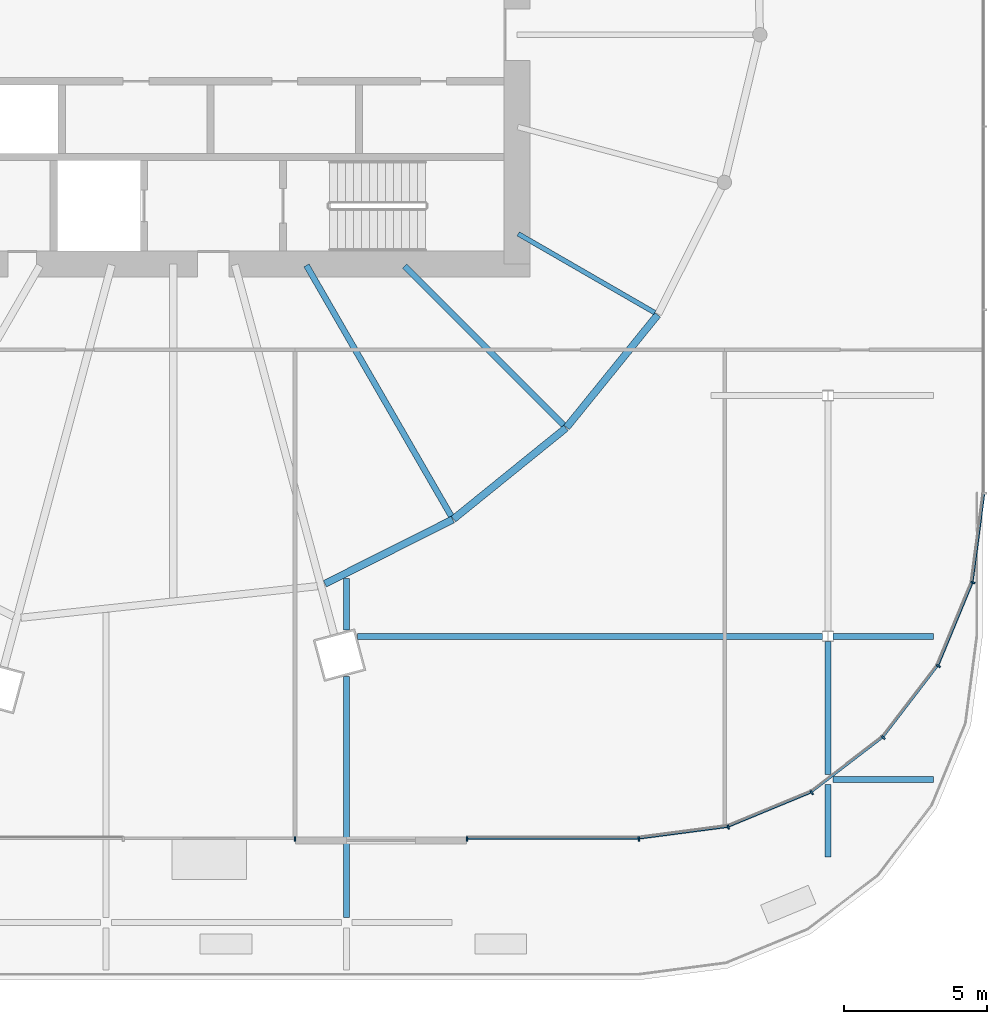
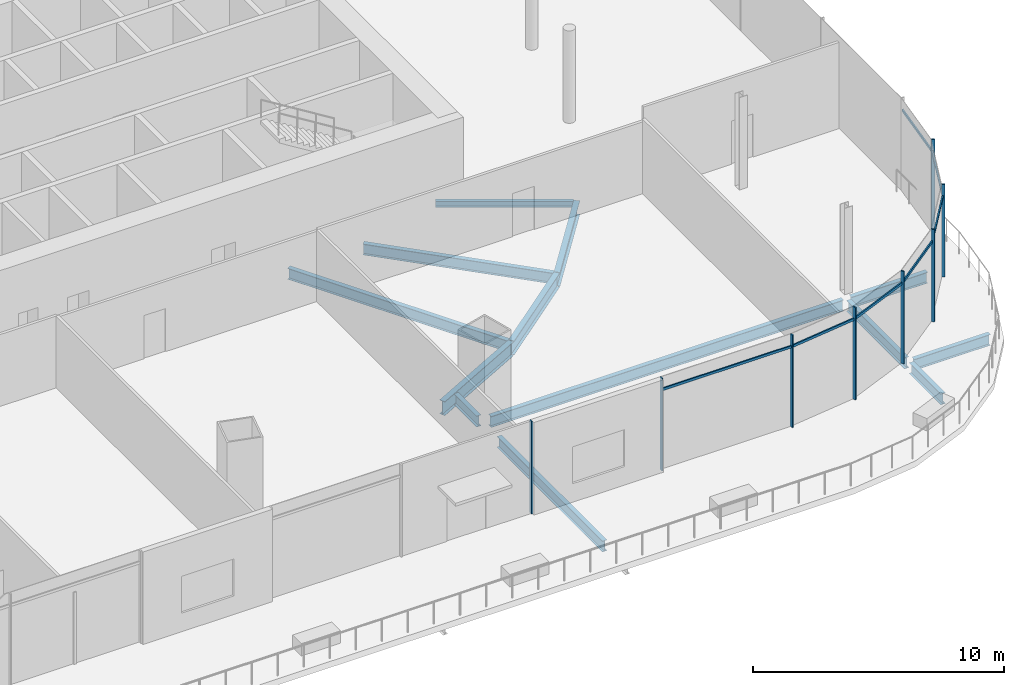
# One storey, part 24 of 52: 15 members, 13 beams, 1 element without a shape of its own.
"""IFC4 building model written with IfcOpenShell, lengths in metres."""

from ifc_helpers import new_model, si_unit, direction, frame, origin, origin_2d, place, context, subcontext, project, spatial, rectangle, i_section, extrude, material, material_profile, profile_set, type_object, element, aggregate, save


model = new_model("IFC4")

# Units and contexts
model_context = context("Model", 3, precision=1e-05, world=origin(), true_north=direction((0.0, 1.0)))
body_context = subcontext(model_context, "Body", "Model", "MODEL_VIEW")
ifc_project = project(units=[si_unit("LENGTHUNIT", "METRE"), si_unit("AREAUNIT", "SQUARE_METRE"), si_unit("VOLUMEUNIT", "CUBIC_METRE"), si_unit("PLANEANGLEUNIT", "RADIAN"), si_unit("MASSUNIT", "GRAM", prefix="KILO")], contexts=[model_context])

# Site, building, storey
site_placement = place(None, origin())
site = spatial("IfcSite", under=ifc_project, at=site_placement, CompositionType="ELEMENT")
building_placement = place(site_placement, origin())
building = spatial("IfcBuilding", under=site, at=building_placement, Name="Rimbun Link Towers", CompositionType="ELEMENT")
storey_placement = place(building_placement, frame((0.0, 0.0, 21.0)))
storey = spatial("IfcBuildingStorey", under=building, at=storey_placement, Name="L04", CompositionType="ELEMENT", Elevation=21.0)

# Curtain wall, members
ifc_material_1 = material(Name="Aluminium 6063-T6 and low-iron glass", Category="aluminium")
curtain_wall_type = type_object("IfcCurtainWallType", Name="CW3 podium shopfront", PredefinedType="NOTDEFINED", material=ifc_material_1)
curtain_wall_placement = place(storey_placement, origin())
curtain_wall = element("IfcCurtainWall", 1, at=curtain_wall_placement, inside=storey, type_object=curtain_wall_type, Name="CW3 L04 PD", PredefinedType="NOTDEFINED")
ifc_material_2 = material(Name="Aluminium 6063-T6", Category="aluminium")
ifc_material_profile_1 = material_profile(ifc_material_2, rectangle(XDim=0.14990234375, YDim=0.06005859375, at=origin_2d()), Name="MULLION 60X150")
ifc_profile_set_1 = profile_set([ifc_material_profile_1], Name="Aluminium 6063-T6")
member_type_1 = type_object("IfcMemberType", Name="CW3 mullion 60X150", PredefinedType="MULLION", material=ifc_profile_set_1)
member_1_placement = place(storey_placement, frame((51.125244140625, -27.66357421875, 0.0), z_axis=(0.0, 0.0, 1.0), x_axis=(0.258818729038, -0.965925910978, 0.0)))
member_1 = element("IfcMember", 2, at=member_1_placement, type_object=member_type_1, Name="CW3 mullion", PredefinedType="MULLION", context=body_context, shape_type="SweptSolid", body=[
    extrude(rectangle(XDim=0.14990234375, YDim=0.06005859375, at=origin_2d()), origin(), (0.0, 0.0, 1.0), 4.5),
])
member_2_placement = place(storey_placement, frame((48.0048828125, -28.074951171875, 0.0), z_axis=(0.0, 0.0, 1.0), x_axis=(0.065405288299, -0.997858781723, 0.0)))
member_2 = element("IfcMember", 3, at=member_2_placement, type_object=member_type_1, Name="CW3 mullion", PredefinedType="MULLION", context=body_context, shape_type="SweptSolid", body=[
    extrude(rectangle(XDim=0.14990234375, YDim=0.06005859375, at=origin_2d()), origin(), (0.0, 0.0, 1.0), 4.5),
])
member_3_placement = place(storey_placement, frame((54.03759765625, -26.457275390625, 0.0), z_axis=(0.0, 0.0, 1.0), x_axis=(0.499993701568, -0.866029040155, 0.0)))
member_3 = element("IfcMember", 4, at=member_3_placement, type_object=member_type_1, Name="CW3 mullion", PredefinedType="MULLION", context=body_context, shape_type="SweptSolid", body=[
    extrude(rectangle(XDim=0.14990234375, YDim=0.06005859375, at=origin_2d()), origin(), (0.0, 0.0, 1.0), 4.5),
])
member_4_placement = place(storey_placement, frame((56.538330078125, -24.538330078125, 0.0), z_axis=(0.0, 0.0, 1.0), x_axis=(0.707106781187, -0.707106781187, 0.0)))
member_4 = element("IfcMember", 5, at=member_4_placement, type_object=member_type_1, Name="CW3 mullion", PredefinedType="MULLION", context=body_context, shape_type="SweptSolid", body=[
    extrude(rectangle(XDim=0.14990234375, YDim=0.06005859375, at=origin_2d()), origin(), (0.0, 0.0, 1.0), 4.5),
])
member_5_placement = place(storey_placement, frame((58.457275390625, -22.03759765625, 0.0), z_axis=(0.0, 0.0, 1.0), x_axis=(0.866029040155, -0.499993701568, 0.0)))
member_5 = element("IfcMember", 6, at=member_5_placement, type_object=member_type_1, Name="CW3 mullion", PredefinedType="MULLION", context=body_context, shape_type="SweptSolid", body=[
    extrude(rectangle(XDim=0.14990234375, YDim=0.06005859375, at=origin_2d()), origin(), (0.0, 0.0, 1.0), 4.5),
])
member_6_placement = place(storey_placement, frame((59.66357421875, -19.125244140625, 0.0), z_axis=(0.0, 0.0, 1.0), x_axis=(0.965925910978, -0.258818729038, 0.0)))
member_6 = element("IfcMember", 7, at=member_6_placement, type_object=member_type_1, Name="CW3 mullion", PredefinedType="MULLION", context=body_context, shape_type="SweptSolid", body=[
    extrude(rectangle(XDim=0.14990234375, YDim=0.06005859375, at=origin_2d()), origin(), (0.0, 0.0, 1.0), 4.5),
])
member_7_placement = place(storey_placement, frame((36.0, -28.074951171875, 0.0), z_axis=(0.0, 0.0, 1.0), x_axis=(0.0, -1.0, 0.0)))
member_7 = element("IfcMember", 8, at=member_7_placement, type_object=member_type_1, Name="CW3 mullion", PredefinedType="MULLION", context=body_context, shape_type="SweptSolid", body=[
    extrude(rectangle(XDim=0.14990234375, YDim=0.06005859375, at=origin_2d()), origin(), (0.0, 0.0, 1.0), 4.5),
])
member_8_placement = place(storey_placement, frame((42.0, -28.074951171875, 0.0), z_axis=(0.0, 0.0, 1.0), x_axis=(0.0, -1.0, 0.0)))
member_8 = element("IfcMember", 9, at=member_8_placement, type_object=member_type_1, Name="CW3 mullion", PredefinedType="MULLION", context=body_context, shape_type="SweptSolid", body=[
    extrude(rectangle(XDim=0.14990234375, YDim=0.06005859375, at=origin_2d()), origin(), (0.0, 0.0, 1.0), 4.5),
])
ifc_material_3 = material(Name="Aluminium 6063-T6", Category="aluminium")
ifc_material_profile_2 = material_profile(ifc_material_3, rectangle(XDim=0.06005859375, YDim=0.1201171875, at=origin_2d()), Name="TRANSOM 60X120")
ifc_profile_set_2 = profile_set([ifc_material_profile_2], Name="Aluminium 6063-T6")
member_type_2 = type_object("IfcMemberType", Name="CW3 transom 60X120", PredefinedType="USERDEFINED", material=ifc_profile_set_2)
member_9_placement = place(storey_placement, frame((51.0830078125, -27.6484375, 3.89990234375), z_axis=(-0.991441037829, -0.130555231638, 0.0), x_axis=(0.130555231638, -0.991441037829, 0.0)))
member_9 = element("IfcMember", 10, at=member_9_placement, type_object=member_type_2, Name="CW3 transom", ObjectType="TRANSOM", PredefinedType="USERDEFINED", context=body_context, shape_type="SweptSolid", body=[
    extrude(rectangle(XDim=0.06005859375, YDim=0.1201171875, at=origin_2d()), origin(), (0.0, 0.0, 1.0), 3.072509765625),
])
member_10_placement = place(storey_placement, frame((53.992919921875, -26.45361328125, 3.89990234375), z_axis=(-0.923881248716, -0.382679289053, 0.0), x_axis=(0.382679289053, -0.923881248716, 0.0)))
member_10 = element("IfcMember", 11, at=member_10_placement, type_object=member_type_2, Name="CW3 transom", ObjectType="TRANSOM", PredefinedType="USERDEFINED", context=body_context, shape_type="SweptSolid", body=[
    extrude(rectangle(XDim=0.06005859375, YDim=0.1201171875, at=origin_2d()), origin(), (0.0, 0.0, 1.0), 3.072509765625),
])
member_11_placement = place(storey_placement, frame((56.494384765625, -24.54638671875, 3.89990234375), z_axis=(-0.793344129687, -0.608773432314, 0.0), x_axis=(0.608773432314, -0.793344129687, 0.0)))
member_11 = element("IfcMember", 12, at=member_11_placement, type_object=member_type_2, Name="CW3 transom", ObjectType="TRANSOM", PredefinedType="USERDEFINED", context=body_context, shape_type="SweptSolid", body=[
    extrude(rectangle(XDim=0.06005859375, YDim=0.1201171875, at=origin_2d()), origin(), (0.0, 0.0, 1.0), 3.07275390625),
])
member_12_placement = place(storey_placement, frame((58.4169921875, -22.056640625, 3.89990234375), z_axis=(-0.608773432314, -0.793344129687, 0.0), x_axis=(0.793344129687, -0.608773432314, 0.0)))
member_12 = element("IfcMember", 13, at=member_12_placement, type_object=member_type_2, Name="CW3 transom", ObjectType="TRANSOM", PredefinedType="USERDEFINED", context=body_context, shape_type="SweptSolid", body=[
    extrude(rectangle(XDim=0.06005859375, YDim=0.1201171875, at=origin_2d()), origin(), (0.0, 0.0, 1.0), 3.07275390625),
])
member_13_placement = place(storey_placement, frame((59.62939453125, -19.154296875, 3.89990234375), z_axis=(-0.382679289053, -0.923881248716, 0.0), x_axis=(0.923881248716, -0.382679289053, 0.0)))
member_13 = element("IfcMember", 14, at=member_13_placement, type_object=member_type_2, Name="CW3 transom", ObjectType="TRANSOM", PredefinedType="USERDEFINED", context=body_context, shape_type="SweptSolid", body=[
    extrude(rectangle(XDim=0.06005859375, YDim=0.1201171875, at=origin_2d()), origin(), (0.0, 0.0, 1.0), 3.072509765625),
])
member_14_placement = place(storey_placement, frame((60.049560546875, -16.036865234375, 3.89990234375), z_axis=(-0.130555231638, -0.991441037829, 0.0), x_axis=(0.991441037829, -0.130555231638, 0.0)))
member_14 = element("IfcMember", 15, at=member_14_placement, type_object=member_type_2, Name="CW3 transom", ObjectType="TRANSOM", PredefinedType="USERDEFINED", context=body_context, shape_type="SweptSolid", body=[
    extrude(rectangle(XDim=0.06005859375, YDim=0.1201171875, at=origin_2d()), origin(), (0.0, 0.0, 1.0), 3.072509765625),
])
member_15_placement = place(storey_placement, frame((47.969970703125, -28.053955078125, 3.89990234375), z_axis=(-1.0, 0.0, 0.0), x_axis=(0.0, -1.0, 0.0)))
member_15 = element("IfcMember", 16, at=member_15_placement, type_object=member_type_2, Name="CW3 transom", ObjectType="TRANSOM", PredefinedType="USERDEFINED", context=body_context, shape_type="SweptSolid", body=[
    extrude(rectangle(XDim=0.06005859375, YDim=0.1201171875, at=origin_2d()), origin(), (0.0, 0.0, 1.0), 5.93994140625),
])
aggregate(curtain_wall, [member_1, member_2, member_3, member_4, member_5, member_6, member_7, member_8, member_9, member_10, member_11, member_12, member_13, member_14, member_15])

# Beams
ifc_material_4 = material(Name="Steel S355J2", Category="steel")
ifc_material_profile_3 = material_profile(ifc_material_4, i_section(OverallWidth=0.1650390625, OverallDepth=0.303466796875, WebThickness=0.006103515625, FlangeThickness=0.01025390625, at=origin_2d()), Name="UB 305x165x40")
ifc_profile_set_3 = profile_set([ifc_material_profile_3], Name="Steel S355J2")
beam_type_1 = type_object("IfcBeamType", Name="UB 305x165x40", PredefinedType="BEAM", material=ifc_profile_set_3)
beam_1_placement = place(storey_placement, frame((43.7919921875, -6.952392578125, -0.45166015625), z_axis=(0.86600383438, -0.500037357444, 0.0), x_axis=(0.500037357444, 0.86600383438, 0.0)))
element("IfcBeam", 17, at=beam_1_placement, inside=storey, type_object=beam_type_1, Name="Radial beam T2 L04 19", PredefinedType="BEAM", context=body_context, shape_type="SweptSolid", body=[
    extrude(i_section(OverallWidth=0.1650390625, OverallDepth=0.303466796875, WebThickness=0.006103515625, FlangeThickness=0.01025390625, at=origin_2d()), origin(), (0.0, 0.0, 1.0), 5.5029296875),
])
ifc_material_5 = material(Name="Steel S355J2", Category="steel")
ifc_material_profile_4 = material_profile(ifc_material_5, i_section(OverallWidth=0.209228515625, OverallDepth=0.533203125, WebThickness=0.010009765625, FlangeThickness=0.015625, at=origin_2d()), Name="UB 533x210x92")
ifc_profile_set_4 = profile_set([ifc_material_profile_4], Name="Steel S355J2")
beam_type_2 = type_object("IfcBeamType", Name="UB 533x210x92", PredefinedType="BEAM", material=ifc_profile_set_4)
beam_2_placement = place(storey_placement, frame((36.3994140625, -8.05322265625, -0.56640625), z_axis=(0.500024888386, -0.866011033991, 0.0), x_axis=(0.866011033991, 0.500024888386, 0.0)))
element("IfcBeam", 18, at=beam_2_placement, inside=storey, type_object=beam_type_2, Name="Radial beam T2 L04 17", PredefinedType="BEAM", context=body_context, shape_type="SweptSolid", body=[
    extrude(i_section(OverallWidth=0.209228515625, OverallDepth=0.533203125, WebThickness=0.010009765625, FlangeThickness=0.015625, at=origin_2d()), origin(), (0.0, 0.0, 1.0), 10.10888671875),
])
beam_3_placement = place(storey_placement, frame((39.82470703125, -8.07470703125, -0.56640625), z_axis=(0.707106781187, -0.707106781187, 0.0), x_axis=(0.707106781187, 0.707106781187, 0.0)))
element("IfcBeam", 19, at=beam_3_placement, inside=storey, type_object=beam_type_2, Name="Radial beam T2 L04 18", PredefinedType="BEAM", context=body_context, shape_type="SweptSolid", body=[
    extrude(i_section(OverallWidth=0.209228515625, OverallDepth=0.533203125, WebThickness=0.010009765625, FlangeThickness=0.015625, at=origin_2d()), origin(), (0.0, 0.0, 1.0), 7.85546875),
])
beam_4_placement = place(storey_placement, frame((54.78515625, -26.0, -0.56640625), z_axis=(1.0, 0.0, 0.0), x_axis=(0.0, 1.0, 0.0)))
element("IfcBeam", 20, at=beam_4_placement, inside=storey, type_object=beam_type_2, Name="Grid beam L04 -26.0", PredefinedType="BEAM", context=body_context, shape_type="SweptSolid", body=[
    extrude(i_section(OverallWidth=0.209228515625, OverallDepth=0.533203125, WebThickness=0.010009765625, FlangeThickness=0.015625, at=origin_2d()), origin(), (0.0, 0.0, 1.0), 3.5),
])
beam_5_placement = place(storey_placement, frame((38.1875, -21.0, -0.56640625), z_axis=(1.0, 0.0, 0.0), x_axis=(0.0, 1.0, 0.0)))
element("IfcBeam", 21, at=beam_5_placement, inside=storey, type_object=beam_type_2, Name="Grid beam L04 -21.0", PredefinedType="BEAM", context=body_context, shape_type="SweptSolid", body=[
    extrude(i_section(OverallWidth=0.209228515625, OverallDepth=0.533203125, WebThickness=0.010009765625, FlangeThickness=0.015625, at=origin_2d()), origin(), (0.0, 0.0, 1.0), 16.227294921875),
])
beam_6_placement = place(storey_placement, frame((54.785400390625, -21.0, -0.56640625), z_axis=(1.0, 0.0, 0.0), x_axis=(0.0, 1.0, 0.0)))
element("IfcBeam", 22, at=beam_6_placement, inside=storey, type_object=beam_type_2, Name="Grid beam L04 -21.0", PredefinedType="BEAM", context=body_context, shape_type="SweptSolid", body=[
    extrude(i_section(OverallWidth=0.209228515625, OverallDepth=0.533203125, WebThickness=0.010009765625, FlangeThickness=0.015625, at=origin_2d()), origin(), (0.0, 0.0, 1.0), 3.5),
])
beam_7_placement = place(storey_placement, frame((37.800048828125, -30.819091796875, -0.56640625), z_axis=(0.0, 1.0, 0.0), x_axis=(-1.0, 0.0, 0.0)))
element("IfcBeam", 23, at=beam_7_placement, inside=storey, type_object=beam_type_2, Name="Grid beam L04 +37.8", PredefinedType="BEAM", context=body_context, shape_type="SweptSolid", body=[
    extrude(i_section(OverallWidth=0.209228515625, OverallDepth=0.533203125, WebThickness=0.010009765625, FlangeThickness=0.015625, at=origin_2d()), origin(), (0.0, 0.0, 1.0), 8.416259765625),
])
beam_8_placement = place(storey_placement, frame((37.800048828125, -20.781494140625, -0.56640625), z_axis=(0.0, 1.0, 0.0), x_axis=(-1.0, 0.0, 0.0)))
element("IfcBeam", 24, at=beam_8_placement, inside=storey, type_object=beam_type_2, Name="Grid beam L04 +37.8", PredefinedType="BEAM", context=body_context, shape_type="SweptSolid", body=[
    extrude(i_section(OverallWidth=0.209228515625, OverallDepth=0.533203125, WebThickness=0.010009765625, FlangeThickness=0.015625, at=origin_2d()), origin(), (0.0, 0.0, 1.0), 1.7978515625),
])
beam_9_placement = place(storey_placement, frame((54.60009765625, -28.704833984375, -0.56640625), z_axis=(0.0, 1.0, 0.0), x_axis=(-1.0, 0.0, 0.0)))
element("IfcBeam", 25, at=beam_9_placement, inside=storey, type_object=beam_type_2, Name="Grid beam L04 +54.6", PredefinedType="BEAM", context=body_context, shape_type="SweptSolid", body=[
    extrude(i_section(OverallWidth=0.209228515625, OverallDepth=0.533203125, WebThickness=0.010009765625, FlangeThickness=0.015625, at=origin_2d()), origin(), (0.0, 0.0, 1.0), 2.52392578125),
])
beam_10_placement = place(storey_placement, frame((54.60009765625, -25.819091796875, -0.56640625), z_axis=(0.0, 1.0, 0.0), x_axis=(-1.0, 0.0, 0.0)))
element("IfcBeam", 26, at=beam_10_placement, inside=storey, type_object=beam_type_2, Name="Grid beam L04 +54.6", PredefinedType="BEAM", context=body_context, shape_type="SweptSolid", body=[
    extrude(i_section(OverallWidth=0.209228515625, OverallDepth=0.533203125, WebThickness=0.010009765625, FlangeThickness=0.015625, at=origin_2d()), origin(), (0.0, 0.0, 1.0), 4.63818359375),
])
ifc_material_6 = material(Name="Steel S355J2", Category="steel")
ifc_material_profile_5 = material_profile(ifc_material_6, i_section(OverallWidth=0.253662109375, OverallDepth=0.68359375, WebThickness=0.012451171875, FlangeThickness=0.01904296875, at=origin_2d()), Name="UB 686x254x140")
ifc_profile_set_5 = profile_set([ifc_material_profile_5], Name="Steel S355J2")
beam_type_3 = type_object("IfcBeamType", Name="UB 686x254x140", PredefinedType="BEAM", material=ifc_profile_set_5)
beam_11_placement = place(storey_placement, frame((37.044921875, -19.167724609375, -0.641845703125), z_axis=(0.893427268905, 0.44920787524, 0.0), x_axis=(-0.44920787524, 0.893427268905, 0.0)))
element("IfcBeam", 27, at=beam_11_placement, inside=storey, type_object=beam_type_3, Name="Edge beam T2 L04 16", PredefinedType="BEAM", context=body_context, shape_type="SweptSolid", body=[
    extrude(i_section(OverallWidth=0.253662109375, OverallDepth=0.68359375, WebThickness=0.012451171875, FlangeThickness=0.01904296875, at=origin_2d()), origin(), (0.0, 0.0, 1.0), 4.991943359375),
])
for number, where, z_axis, x_axis, name in (
    (28, (41.529296875, -16.909423828125, -0.641845703125), (0.777298851758, 0.629131540345, 0.0), (-0.629131540345, 0.777298851758, 0.0), "Edge beam T2 L04 17"),
    (29, (45.47900390625, -13.708740234375, -0.641845703125), (0.629131540345, 0.777298851758, 0.0), (-0.777298851758, 0.629131540345, 0.0), "Edge beam T2 L04 18"),
):
    element("IfcBeam", number, at=place(storey_placement, frame(where, z_axis=z_axis, x_axis=x_axis)), inside=storey, type_object=beam_type_3, Name=name, PredefinedType="BEAM", context=body_context, shape_type="SweptSolid", body=[
        extrude(i_section(OverallWidth=0.253662109375, OverallDepth=0.68359375, WebThickness=0.012451171875, FlangeThickness=0.01904296875, at=origin_2d()), origin(), (0.0, 0.0, 1.0), 5.05517578125),
    ])

save(model, "model.ifc")
